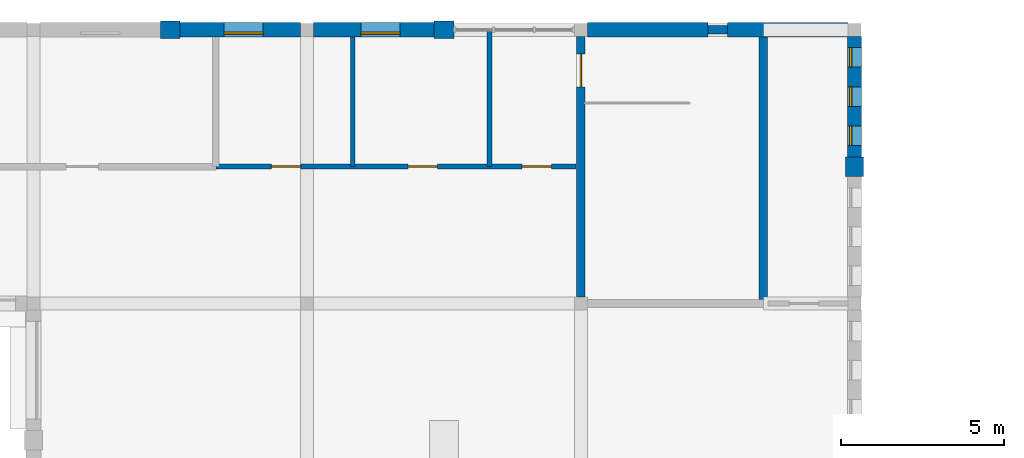
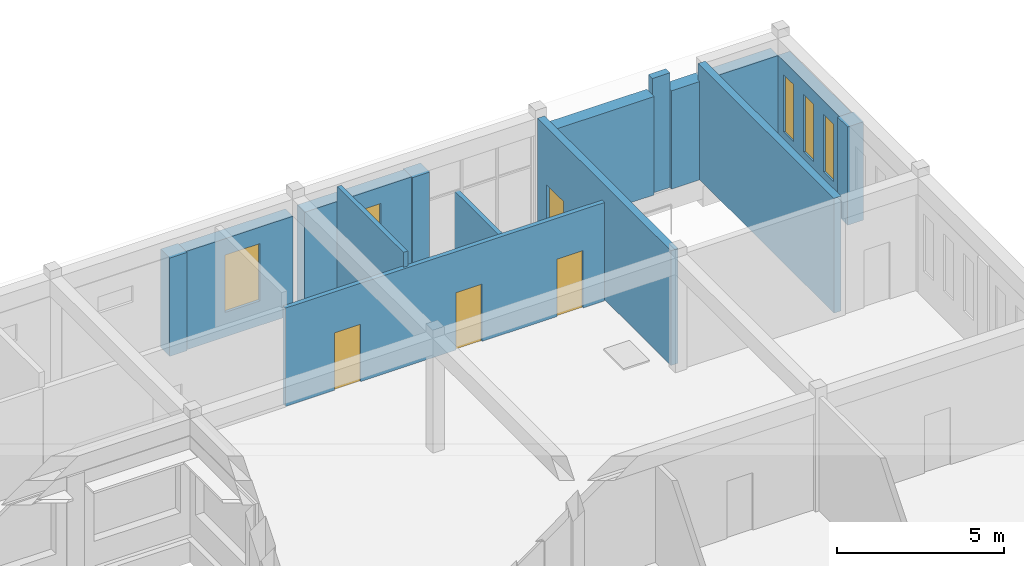
# One storey, part 26 of 30: 14 walls, 5 windows, 4 doors, 9 openings.
"""IFC4 building model written with IfcOpenShell, lengths in metres."""

from ifc_helpers import new_model, si_unit, direction, frame, frame_2d, origin, place, context, subcontext, project, spatial, rectangle, extrude, material, layer, layer_set, type_object, element, fill, save


model = new_model("IFC4")

# Units and contexts
model_context = context("Model", 3, precision=1e-05, world=origin(), true_north=direction((0.0, 1.0)))
body_context = subcontext(model_context, "Body", "Model", "MODEL_VIEW")
ifc_project = project(units=[si_unit("LENGTHUNIT", "METRE"), si_unit("AREAUNIT", "SQUARE_METRE"), si_unit("VOLUMEUNIT", "CUBIC_METRE"), si_unit("PLANEANGLEUNIT", "RADIAN"), si_unit("MASSUNIT", "GRAM", prefix="KILO")], contexts=[model_context])

# Site, building, storey
site_placement = place(None, origin())
site = spatial("IfcSite", under=ifc_project, at=site_placement, CompositionType="ELEMENT")
building_placement = place(site_placement, origin())
building = spatial("IfcBuilding", under=site, at=building_placement, Name="Fescue Hill Polytechnic", CompositionType="ELEMENT")
storey_placement = place(building_placement, frame((0.0, 0.0, 22.5)))
storey = spatial("IfcBuildingStorey", under=building, at=storey_placement, Name="L05", CompositionType="ELEMENT", Elevation=22.5)

# Walls
ifc_material_1 = material(Name="Clay brick masonry", Category="masonry")
ifc_layer_1 = layer(ifc_material_1, 0.550048828125)
ifc_layer_set_1 = layer_set([ifc_layer_1], Name="Clay brick masonry")
wall_type_1 = type_object("IfcWallType", Name="Brick pier 600x550", PredefinedType="SOLIDWALL", material=ifc_layer_set_1)
for number, where, z_axis, x_axis, name in (
    (1, (117.60009765625, 129.89990234375, 0.0), (0.0, 0.0, 1.0), (0.0, 1.0, 0.0), "PR-L05-V4b-14"),
    (2, (105.300048828125, 134.39990234375, 0.0), (0.0, 0.0, 1.0), (-1.0, 0.0, 0.0), "PR-L05-V4b-16"),
):
    element("IfcWall", number, at=place(storey_placement, frame(where, z_axis=z_axis, x_axis=x_axis)), inside=storey, type_object=wall_type_1, Name=name, PredefinedType="SOLIDWALL", context=body_context, shape_type="SweptSolid", body=[
        extrude(rectangle(XDim=0.60009765625, YDim=0.550048828125, at=frame_2d((0.300048828125, 0.0))), origin(), (0.0, 0.0, 1.0), 3.60009765625),
    ])
wall_1_placement = place(storey_placement, frame((96.89990234375, 134.39990234375, 0.0), z_axis=(0.0, 0.0, 1.0), x_axis=(-1.0, 0.0, 0.0)))
element("IfcWall", 3, at=wall_1_placement, inside=storey, type_object=wall_type_1, Name="PR-L05-V4b-17", PredefinedType="SOLIDWALL", context=body_context, shape_type="SweptSolid", body=[
    extrude(rectangle(XDim=0.599853515625, YDim=0.550048828125, at=frame_2d((0.2998046875, 0.0))), origin(), (0.0, 0.0, 1.0), 3.60009765625),
])

# Wall, opening, door
ifc_material_2 = material(Name="Concrete 40 MPa", Category="concrete")
ifc_layer_2 = layer(ifc_material_2, 0.25)
ifc_layer_set_2 = layer_set([ifc_layer_2], Name="Concrete 40 MPa")
wall_type_2 = type_object("IfcWallType", Name="Core wall 250", PredefinedType="SHEAR", material=ifc_layer_set_2)
wall_2_placement = place(storey_placement, frame((109.199951171875, 126.199951171875, 0.0), z_axis=(0.0, 0.0, 1.0), x_axis=(0.0, 1.0, 0.0)))
wall_2 = element("IfcWall", 4, at=wall_2_placement, inside=storey, type_object=wall_type_2, Name="CW-L05-ST-V4b-2-31", PredefinedType="SHEAR", context=body_context, shape_type="SweptSolid", body=[
    extrude(rectangle(XDim=8.0, YDim=0.25, at=frame_2d((4.0, 0.0))), origin(), (0.0, 0.0, 1.0), 4.199951171875),
])
opening_1_placement = place(wall_2_placement, frame((6.449951171875, 0.0, 0.0)))
opening_1 = element("IfcOpeningElement", 5, at=opening_1_placement, cuts=wall_2, Name="Opening D5046", PredefinedType="OPENING", context=body_context, shape_type="SweptSolid", body=[
    extrude(rectangle(XDim=1.0, YDim=2.10009765625, at=frame_2d((0.5, 1.050048828125))), frame((0.0, 0.135009765625, 0.0), z_axis=(0.0, -1.0, 0.0), x_axis=(1.0, 0.0, 0.0)), (0.0, 0.0, 1.0), 0.27001953125),
])
ifc_material_3 = material(Name="Steel fire door", Category="steel")
door_type_1 = type_object("IfcDoorType", Name="Door single swing 1000x2100 stair fire rated", OperationType="NOTDEFINED", PredefinedType="DOOR", material=ifc_material_3)
door_1_placement = place(opening_1_placement, origin())
door_1 = element("IfcDoor", 6, at=door_1_placement, inside=storey, type_object=door_type_1, Name="L05 ST-V4b-2 stair door", OperationType="SINGLE_SWING_LEFT", OverallHeight=2.10009765625, OverallWidth=1.0, PredefinedType="DOOR", context=body_context, shape_type="SweptSolid", body=[
    extrude(rectangle(XDim=1.0, YDim=2.10009765625, at=frame_2d((0.5, 1.050048828125))), frame((0.0, 0.02490234375, 0.0), z_axis=(0.0, -1.0, 0.0), x_axis=(1.0, 0.0, 0.0)), (0.0, 0.0, 1.0), 0.050048828125),
])
fill(opening_1, door_1)

# Walls
wall_3_placement = place(storey_placement, frame((114.800048828125, 126.125, 0.0), z_axis=(0.0, 0.0, 1.0), x_axis=(0.0, 1.0, 0.0)))
element("IfcWall", 7, at=wall_3_placement, inside=storey, type_object=wall_type_2, Name="CW-L05-ST-V4b-2-41", PredefinedType="SHEAR", context=body_context, shape_type="SweptSolid", body=[
    extrude(rectangle(XDim=8.14990234375, YDim=0.25, at=frame_2d((4.074951171875, 0.0))), origin(), (0.0, 0.0, 1.0), 4.199951171875),
])
wall_4_placement = place(storey_placement, frame((113.10009765625, 134.39990234375, 0.0), z_axis=(0.0, 0.0, 1.0), x_axis=(1.0, 0.0, 0.0)))
element("IfcWall", 8, at=wall_4_placement, inside=storey, type_object=wall_type_2, Name="SCW-L05-ST-V4b-2-n1", PredefinedType="SHEAR", context=body_context, shape_type="SweptSolid", body=[
    extrude(rectangle(XDim=0.599853515625, YDim=0.25, at=frame_2d((0.2998046875, 0.0))), origin(), (0.0, 0.0, 1.0), 4.199951171875),
])

# Wall, openings, doors
ifc_material_4 = material(Name="Gypsum board partition")
ifc_layer_3 = layer(ifc_material_4, 0.14990234375)
ifc_layer_set_3 = layer_set([ifc_layer_3], Name="Gypsum board partition")
wall_type_3 = type_object("IfcWallType", Name="Corridor wall 150 EI 45", PredefinedType="PARTITIONING", material=ifc_layer_set_3)
wall_5_placement = place(storey_placement, frame((98.0, 130.199951171875, 0.0), z_axis=(0.0, 0.0, 1.0), x_axis=(1.0, 0.0, 0.0)))
wall_5 = element("IfcWall", 9, at=wall_5_placement, inside=storey, type_object=wall_type_3, Name="IW-L05-039", PredefinedType="PARTITIONING", context=body_context, shape_type="SweptSolid", body=[
    extrude(rectangle(XDim=11.050048828125, YDim=0.14990234375, at=frame_2d((5.52490234375, 0.0))), origin(), (0.0, 0.0, 1.0), 3.60009765625),
])
opening_2_placement = place(wall_5_placement, frame((1.699951171875, 0.0, 0.0)))
opening_2 = element("IfcOpeningElement", 10, at=opening_2_placement, cuts=wall_5, Name="Opening D5037", PredefinedType="OPENING", context=body_context, shape_type="SweptSolid", body=[
    extrude(rectangle(XDim=0.89990234375, YDim=2.10009765625, at=frame_2d((0.449951171875, 1.050048828125))), frame((0.0, 0.0849609375, 0.0), z_axis=(0.0, -1.0, 0.0), x_axis=(1.0, 0.0, 0.0)), (0.0, 0.0, 1.0), 0.169921875),
])
opening_3_placement = place(wall_5_placement, frame((5.89990234375, 0.0, 0.0)))
opening_3 = element("IfcOpeningElement", 11, at=opening_3_placement, cuts=wall_5, Name="Opening D5038", PredefinedType="OPENING", context=body_context, shape_type="SweptSolid", body=[
    extrude(rectangle(XDim=0.89990234375, YDim=2.10009765625, at=frame_2d((0.449951171875, 1.050048828125))), frame((0.0, 0.0849609375, 0.0), z_axis=(0.0, -1.0, 0.0), x_axis=(1.0, 0.0, 0.0)), (0.0, 0.0, 1.0), 0.169921875),
])
opening_4_placement = place(wall_5_placement, frame((9.39990234375, 0.0, 0.0)))
opening_4 = element("IfcOpeningElement", 12, at=opening_4_placement, cuts=wall_5, Name="Opening D5039", PredefinedType="OPENING", context=body_context, shape_type="SweptSolid", body=[
    extrude(rectangle(XDim=0.89990234375, YDim=2.10009765625, at=frame_2d((0.449951171875, 1.050048828125))), frame((0.0, 0.0849609375, 0.0), z_axis=(0.0, -1.0, 0.0), x_axis=(1.0, 0.0, 0.0)), (0.0, 0.0, 1.0), 0.169921875),
])
ifc_material_5 = material(Name="Timber", Category="wood")
door_type_2 = type_object("IfcDoorType", Name="Door single swing 900x2100 FD30S", OperationType="SINGLE_SWING_LEFT", PredefinedType="DOOR", material=ifc_material_5)
door_2_placement = place(opening_2_placement, origin())
door_2 = element("IfcDoor", 13, at=door_2_placement, inside=storey, type_object=door_type_2, Name="Door D5037", OperationType="SINGLE_SWING_LEFT", OverallHeight=2.10009765625, OverallWidth=0.89990234375, PredefinedType="DOOR", context=body_context, shape_type="SweptSolid", body=[
    extrude(rectangle(XDim=0.89990234375, YDim=2.10009765625, at=frame_2d((0.449951171875, 1.050048828125))), frame((0.0, 0.02490234375, 0.0), z_axis=(0.0, -1.0, 0.0), x_axis=(1.0, 0.0, 0.0)), (0.0, 0.0, 1.0), 0.050048828125),
])
fill(opening_2, door_2)
door_3_placement = place(opening_3_placement, origin())
door_3 = element("IfcDoor", 14, at=door_3_placement, inside=storey, type_object=door_type_2, Name="Door D5038", OperationType="SINGLE_SWING_RIGHT", OverallHeight=2.10009765625, OverallWidth=0.89990234375, PredefinedType="DOOR", context=body_context, shape_type="SweptSolid", body=[
    extrude(rectangle(XDim=0.89990234375, YDim=2.10009765625, at=frame_2d((0.449951171875, 1.050048828125))), frame((0.0, 0.02490234375, 0.0), z_axis=(0.0, -1.0, 0.0), x_axis=(1.0, 0.0, 0.0)), (0.0, 0.0, 1.0), 0.050048828125),
])
fill(opening_3, door_3)
door_4_placement = place(opening_4_placement, origin())
door_4 = element("IfcDoor", 15, at=door_4_placement, inside=storey, type_object=door_type_2, Name="Door D5039", OperationType="SINGLE_SWING_RIGHT", OverallHeight=2.10009765625, OverallWidth=0.89990234375, PredefinedType="DOOR", context=body_context, shape_type="SweptSolid", body=[
    extrude(rectangle(XDim=0.89990234375, YDim=2.10009765625, at=frame_2d((0.449951171875, 1.050048828125))), frame((0.0, 0.02490234375, 0.0), z_axis=(0.0, -1.0, 0.0), x_axis=(1.0, 0.0, 0.0)), (0.0, 0.0, 1.0), 0.050048828125),
])
fill(opening_4, door_4)

# Wall, opening, window
ifc_layer_4 = layer(ifc_material_2, 0.449951171875)
ifc_layer_set_4 = layer_set([ifc_layer_4], Name="Concrete 40 MPa")
wall_type_4 = type_object("IfcWallType", Name="Exterior wall board-marked concrete 450", PredefinedType="SOLIDWALL", material=ifc_layer_set_4)
wall_6_placement = place(storey_placement, frame((104.699951171875, 134.39990234375, 0.0), z_axis=(0.0, 0.0, 1.0), x_axis=(-1.0, 0.0, 0.0)))
wall_6 = element("IfcWall", 16, at=wall_6_placement, inside=storey, type_object=wall_type_4, Name="EW-L05-V4b-34", PredefinedType="SOLIDWALL", context=body_context, shape_type="SweptSolid", body=[
    extrude(rectangle(XDim=3.699951171875, YDim=0.449951171875, at=frame_2d((1.85009765625, 0.0))), origin(), (0.0, 0.0, 1.0), 3.60009765625),
])
opening_5_placement = place(wall_6_placement, frame((1.050048828125, 0.0, 0.89990234375)))
opening_5 = element("IfcOpeningElement", 17, at=opening_5_placement, cuts=wall_6, Name="Opening W13", PredefinedType="OPENING", context=body_context, shape_type="SweptSolid", body=[
    extrude(rectangle(XDim=1.199951171875, YDim=2.10009765625, at=frame_2d((0.60009765625, 1.050048828125))), frame((0.0, 0.23486328125, 0.0), z_axis=(0.0, -1.0, 0.0), x_axis=(1.0, 0.0, 0.0)), (0.0, 0.0, 1.0), 0.469970703125),
])
ifc_material_6 = material(Name="Powder-coated aluminium and glass", Category="aluminium")
window_type_1 = type_object("IfcWindowType", Name="Window cellular office 1200x2100", PartitioningType="SINGLE_PANEL", PredefinedType="WINDOW", material=ifc_material_6)
window_1_placement = place(opening_5_placement, origin())
window_1 = element("IfcWindow", 18, at=window_1_placement, inside=storey, type_object=window_type_1, Name="WN-L05-V4b-30", OverallHeight=2.10009765625, OverallWidth=1.199951171875, PartitioningType="SINGLE_PANEL", PredefinedType="WINDOW", context=body_context, shape_type="SweptSolid", body=[
    extrude(rectangle(XDim=1.199951171875, YDim=2.10009765625, at=frame_2d((0.60009765625, 1.050048828125))), frame((0.0, 0.135009765625, 0.0), z_axis=(0.0, -1.0, 0.0), x_axis=(1.0, 0.0, 0.0)), (0.0, 0.0, 1.0), 0.06005859375),
])
fill(opening_5, window_1)

wall_7_placement = place(storey_placement, frame((100.60009765625, 134.39990234375, 0.0), z_axis=(0.0, 0.0, 1.0), x_axis=(-1.0, 0.0, 0.0)))
wall_7 = element("IfcWall", 19, at=wall_7_placement, inside=storey, type_object=wall_type_4, Name="EW-L05-V4b-35", PredefinedType="SOLIDWALL", context=body_context, shape_type="SweptSolid", body=[
    extrude(rectangle(XDim=3.7001953125, YDim=0.449951171875, at=frame_2d((1.85009765625, 0.0))), origin(), (0.0, 0.0, 1.0), 3.60009765625),
])
opening_6_placement = place(wall_7_placement, frame((1.14990234375, 0.0, 0.89990234375)))
opening_6 = element("IfcOpeningElement", 20, at=opening_6_placement, cuts=wall_7, Name="Opening W13", PredefinedType="OPENING", context=body_context, shape_type="SweptSolid", body=[
    extrude(rectangle(XDim=1.199951171875, YDim=2.10009765625, at=frame_2d((0.60009765625, 1.050048828125))), frame((0.0, 0.23486328125, 0.0), z_axis=(0.0, -1.0, 0.0), x_axis=(1.0, 0.0, 0.0)), (0.0, 0.0, 1.0), 0.469970703125),
])
window_2_placement = place(opening_6_placement, origin())
window_2 = element("IfcWindow", 21, at=window_2_placement, inside=storey, type_object=window_type_1, Name="WN-L05-V4b-31", OverallHeight=2.10009765625, OverallWidth=1.199951171875, PartitioningType="SINGLE_PANEL", PredefinedType="WINDOW", context=body_context, shape_type="SweptSolid", body=[
    extrude(rectangle(XDim=1.199951171875, YDim=2.10009765625, at=frame_2d((0.60009765625, 1.050048828125))), frame((0.0, 0.135009765625, 0.0), z_axis=(0.0, -1.0, 0.0), x_axis=(1.0, 0.0, 0.0)), (0.0, 0.0, 1.0), 0.06005859375),
])
fill(opening_6, window_2)

# Walls
ifc_layer_5 = layer(ifc_material_2, 0.449951171875)
ifc_layer_set_5 = layer_set([ifc_layer_5], Name="Concrete 40 MPa")
wall_type_5 = type_object("IfcWallType", Name="Exterior wall board-marked concrete 450 load-bearing", PredefinedType="SOLIDWALL", material=ifc_layer_set_5)
wall_8_placement = place(storey_placement, frame((117.39990234375, 134.39990234375, 0.0), z_axis=(0.0, 0.0, 1.0), x_axis=(-1.0, 0.0, 0.0)))
element("IfcWall", 22, at=wall_8_placement, inside=storey, type_object=wall_type_5, Name="EW-L05-V4b-31", PredefinedType="SOLIDWALL", context=body_context, shape_type="SweptSolid", body=[
    extrude(rectangle(XDim=3.699951171875, YDim=0.449951171875, at=frame_2d((1.85009765625, 0.0))), origin(), (0.0, 0.0, 1.0), 3.60009765625),
])
wall_9_placement = place(storey_placement, frame((113.10009765625, 134.39990234375, 0.0), z_axis=(0.0, 0.0, 1.0), x_axis=(-1.0, 0.0, 0.0)))
element("IfcWall", 23, at=wall_9_placement, inside=storey, type_object=wall_type_5, Name="EW-L05-V4b-32", PredefinedType="SOLIDWALL", context=body_context, shape_type="SweptSolid", body=[
    extrude(rectangle(XDim=3.7001953125, YDim=0.449951171875, at=frame_2d((1.85009765625, 0.0))), origin(), (0.0, 0.0, 1.0), 3.60009765625),
])

# Wall, openings, windows
ifc_layer_6 = layer(ifc_material_1, 0.419921875)
ifc_layer_set_6 = layer_set([ifc_layer_6], Name="Clay brick masonry")
wall_type_6 = type_object("IfcWallType", Name="Exterior wall buff-red brick cavity 420", PredefinedType="SOLIDWALL", material=ifc_layer_set_6)
wall_10_placement = place(storey_placement, frame((117.60009765625, 130.5, 0.0), z_axis=(0.0, 0.0, 1.0), x_axis=(0.0, 1.0, 0.0)))
wall_10 = element("IfcWall", 24, at=wall_10_placement, inside=storey, type_object=wall_type_6, Name="EW-L05-V4b-30", PredefinedType="SOLIDWALL", context=body_context, shape_type="SweptSolid", body=[
    extrude(rectangle(XDim=3.699951171875, YDim=0.419921875, at=frame_2d((1.85009765625, 0.0))), origin(), (0.0, 0.0, 1.0), 3.60009765625),
])
opening_7_placement = place(wall_10_placement, frame((0.35009765625, 0.0, 1.0)))
opening_7 = element("IfcOpeningElement", 25, at=opening_7_placement, cuts=wall_10, Name="Opening W6", PredefinedType="OPENING", context=body_context, shape_type="SweptSolid", body=[
    extrude(rectangle(XDim=0.60009765625, YDim=2.10009765625, at=frame_2d((0.300048828125, 1.050048828125))), frame((0.0, 0.219970703125, 0.0), z_axis=(0.0, -1.0, 0.0), x_axis=(1.0, 0.0, 0.0)), (0.0, 0.0, 1.0), 0.43994140625),
])
opening_8_placement = place(wall_10_placement, frame((1.550048828125, 0.0, 1.0)))
opening_8 = element("IfcOpeningElement", 26, at=opening_8_placement, cuts=wall_10, Name="Opening W6", PredefinedType="OPENING", context=body_context, shape_type="SweptSolid", body=[
    extrude(rectangle(XDim=0.60009765625, YDim=2.10009765625, at=frame_2d((0.300048828125, 1.050048828125))), frame((0.0, 0.219970703125, 0.0), z_axis=(0.0, -1.0, 0.0), x_axis=(1.0, 0.0, 0.0)), (0.0, 0.0, 1.0), 0.43994140625),
])
opening_9_placement = place(wall_10_placement, frame((2.75, 0.0, 1.0)))
opening_9 = element("IfcOpeningElement", 27, at=opening_9_placement, cuts=wall_10, Name="Opening W6", PredefinedType="OPENING", context=body_context, shape_type="SweptSolid", body=[
    extrude(rectangle(XDim=0.60009765625, YDim=2.10009765625, at=frame_2d((0.300048828125, 1.050048828125))), frame((0.0, 0.219970703125, 0.0), z_axis=(0.0, -1.0, 0.0), x_axis=(1.0, 0.0, 0.0)), (0.0, 0.0, 1.0), 0.43994140625),
])
window_type_2 = type_object("IfcWindowType", Name="Window slot 600x2100", PartitioningType="SINGLE_PANEL", PredefinedType="WINDOW", material=ifc_material_6)
window_3_placement = place(opening_7_placement, origin())
window_3 = element("IfcWindow", 28, at=window_3_placement, inside=storey, type_object=window_type_2, Name="WN-L05-V4b-27", OverallHeight=2.10009765625, OverallWidth=0.60009765625, PartitioningType="SINGLE_PANEL", PredefinedType="WINDOW", context=body_context, shape_type="SweptSolid", body=[
    extrude(rectangle(XDim=0.60009765625, YDim=2.10009765625, at=frame_2d((0.300048828125, 1.050048828125))), frame((0.0, 0.150146484375, 0.0), z_axis=(0.0, -1.0, 0.0), x_axis=(1.0, 0.0, 0.0)), (0.0, 0.0, 1.0), 0.06005859375),
])
fill(opening_7, window_3)
window_4_placement = place(opening_8_placement, origin())
window_4 = element("IfcWindow", 29, at=window_4_placement, inside=storey, type_object=window_type_2, Name="WN-L05-V4b-28", OverallHeight=2.10009765625, OverallWidth=0.60009765625, PartitioningType="SINGLE_PANEL", PredefinedType="WINDOW", context=body_context, shape_type="SweptSolid", body=[
    extrude(rectangle(XDim=0.60009765625, YDim=2.10009765625, at=frame_2d((0.300048828125, 1.050048828125))), frame((0.0, 0.150146484375, 0.0), z_axis=(0.0, -1.0, 0.0), x_axis=(1.0, 0.0, 0.0)), (0.0, 0.0, 1.0), 0.06005859375),
])
fill(opening_8, window_4)
window_5_placement = place(opening_9_placement, origin())
window_5 = element("IfcWindow", 30, at=window_5_placement, inside=storey, type_object=window_type_2, Name="WN-L05-V4b-29", OverallHeight=2.10009765625, OverallWidth=0.60009765625, PartitioningType="SINGLE_PANEL", PredefinedType="WINDOW", context=body_context, shape_type="SweptSolid", body=[
    extrude(rectangle(XDim=0.60009765625, YDim=2.10009765625, at=frame_2d((0.300048828125, 1.050048828125))), frame((0.0, 0.150146484375, 0.0), z_axis=(0.0, -1.0, 0.0), x_axis=(1.0, 0.0, 0.0)), (0.0, 0.0, 1.0), 0.06005859375),
])
fill(opening_9, window_5)

# Walls
ifc_layer_7 = layer(ifc_material_4, 0.14990234375)
ifc_layer_set_7 = layer_set([ifc_layer_7], Name="Gypsum board partition")
wall_type_7 = type_object("IfcWallType", Name="Partition stud 150 acoustic", PredefinedType="PARTITIONING", material=ifc_layer_set_7)
wall_11_placement = place(storey_placement, frame((102.199951171875, 130.199951171875, 0.0), z_axis=(0.0, 0.0, 1.0), x_axis=(0.0, 1.0, 0.0)))
element("IfcWall", 31, at=wall_11_placement, inside=storey, type_object=wall_type_7, Name="IW-L05-064", PredefinedType="PARTITIONING", context=body_context, shape_type="SweptSolid", body=[
    extrude(rectangle(XDim=3.97509765625, YDim=0.14990234375, at=frame_2d((1.987548828125, 0.0))), origin(), (0.0, 0.0, 1.0), 4.14990234375),
])
wall_12_placement = place(storey_placement, frame((106.39990234375, 130.199951171875, 0.0), z_axis=(0.0, 0.0, 1.0), x_axis=(0.0, 1.0, 0.0)))
element("IfcWall", 32, at=wall_12_placement, inside=storey, type_object=wall_type_7, Name="IW-L05-066", PredefinedType="PARTITIONING", context=body_context, shape_type="SweptSolid", body=[
    extrude(rectangle(XDim=4.199951171875, YDim=0.14990234375, at=frame_2d((2.10009765625, 0.0))), origin(), (0.0, 0.0, 1.0), 2.3701171875),
])

save(model, "model.ifc")
